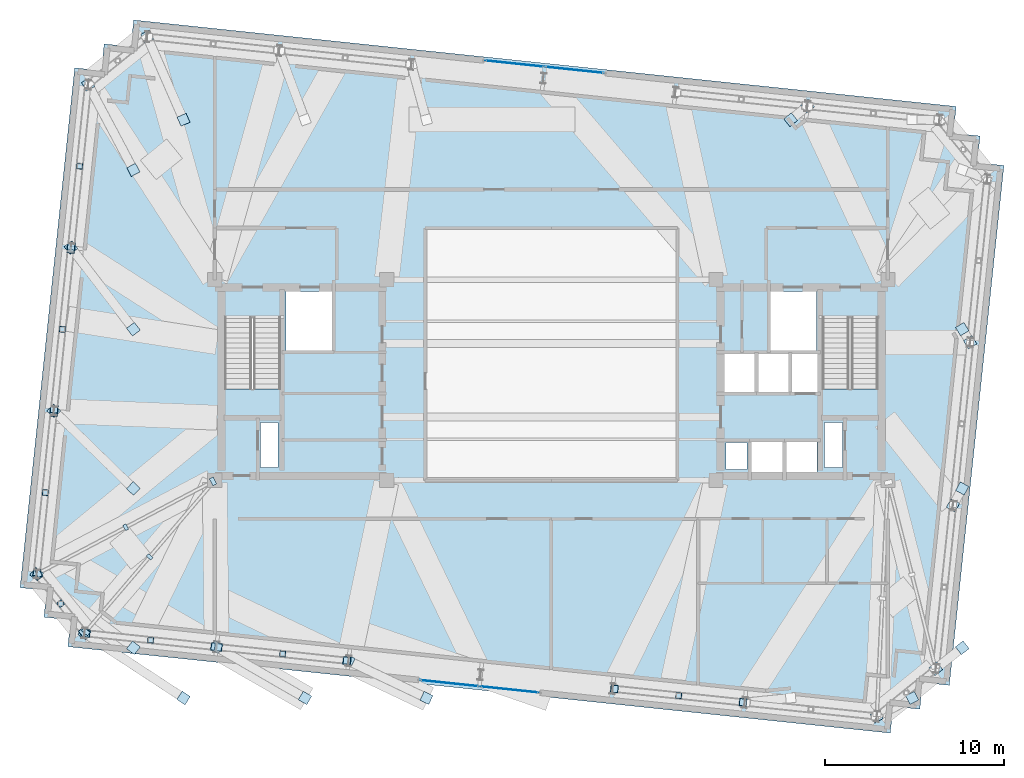
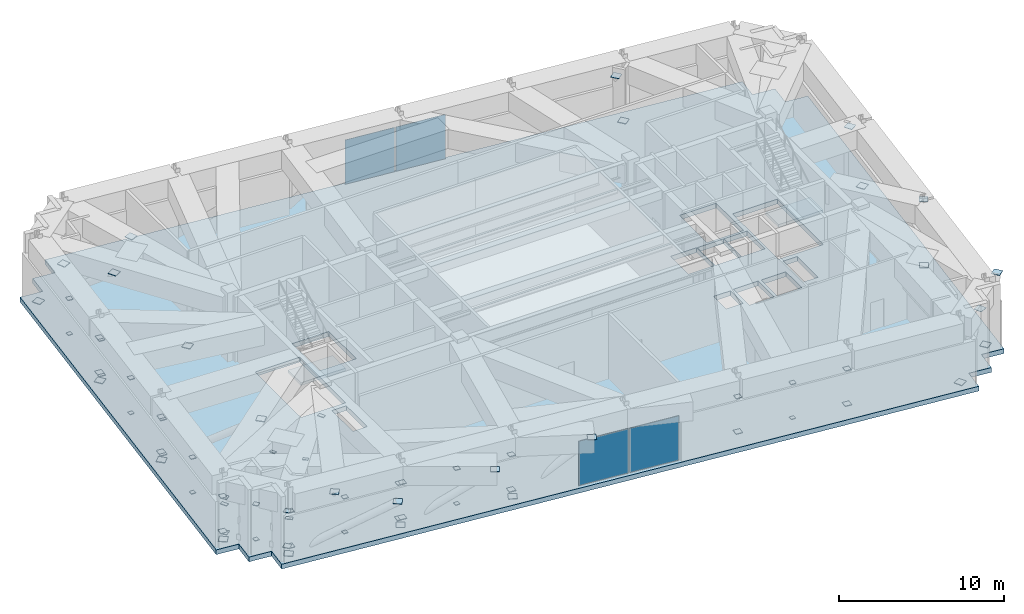
# One storey, part 14 of 21: 75 plates, 3 slabs, 4 elements without a shape of their own.
"""IFC4 building model written with IfcOpenShell, lengths in metres."""

from ifc_helpers import new_model, si_unit, direction, frame, origin, origin_2d, place, context, subcontext, project, spatial, polyline, rectangle, outline, extrude, material, layer, layer_set, type_object, element, aggregate, save


model = new_model("IFC4")

# Units and contexts
model_context = context("Model", 3, precision=1e-05, world=origin(), true_north=direction((0.0, 1.0)))
body_context = subcontext(model_context, "Body", "Model", "MODEL_VIEW")
ifc_project = project(units=[si_unit("LENGTHUNIT", "METRE"), si_unit("AREAUNIT", "SQUARE_METRE"), si_unit("VOLUMEUNIT", "CUBIC_METRE"), si_unit("PLANEANGLEUNIT", "RADIAN"), si_unit("MASSUNIT", "GRAM", prefix="KILO")], contexts=[model_context])

# Site, building, storey
site_placement = place(None, origin())
site = spatial("IfcSite", under=ifc_project, at=site_placement, CompositionType="ELEMENT")
building_placement = place(site_placement, origin())
building = spatial("IfcBuilding", under=site, at=building_placement, Name="Qobustan Lattice House", CompositionType="ELEMENT")
storey_placement = place(building_placement, frame((0.0, 0.0, 223.199951171875)))
storey = spatial("IfcBuildingStorey", under=building, at=storey_placement, Name="L63", CompositionType="ELEMENT", Elevation=223.199951171875)

# Curtain wall, plates
ifc_material_1 = material(Name="Anodised aluminium and low-E glazing", Category="aluminium")
ifc_layer_1 = layer(ifc_material_1, 0.219970703125)
ifc_layer_set_1 = layer_set([ifc_layer_1], Name="Anodised aluminium and low-E glazing")
curtain_wall_type = type_object("IfcCurtainWallType", Name="CW-TRN-01", PredefinedType="USERDEFINED", material=ifc_layer_set_1)
curtain_wall_1_placement = place(storey_placement, origin())
curtain_wall_1 = element("IfcCurtainWall", 1, at=curtain_wall_1_placement, inside=storey, type_object=curtain_wall_type, Name="L63 N transfer sky-lobby curtain wall", ObjectType="CURTAIN WALL", PredefinedType="USERDEFINED")
ifc_material_2 = material(Name="Clear low-E laminated glass", Category="glass")
ifc_layer_2 = layer(ifc_material_2, 0.031982421875)
ifc_layer_set_2 = layer_set([ifc_layer_2], Name="Clear low-E laminated glass")
plate_type_1 = type_object("IfcPlateType", Name="CWP-VISION-32", PredefinedType="CURTAIN_PANEL", material=ifc_layer_set_2)
plate_1_placement = place(storey_placement, frame((-2.052001953125, 17.680419921875, 0.065185546875), z_axis=(0.0, 0.0, 1.0), x_axis=(0.994521878892, -0.104528620025, 0.0)))
plate_1 = element("IfcPlate", 2, at=plate_1_placement, type_object=plate_type_1, Name="CW-TR panel 1.1", PredefinedType="CURTAIN_PANEL", context=body_context, shape_type="SweptSolid", body=[
    extrude(rectangle(XDim=3.280029296875, YDim=0.031982421875, at=origin_2d()), origin(), (0.0, 0.0, 1.0), 3.27490234375),
])
plate_2_placement = place(storey_placement, frame((1.28955078125, 17.3291015625, 0.065185546875), z_axis=(0.0, 0.0, 1.0), x_axis=(0.994521878892, -0.104528620025, 0.0)))
plate_2 = element("IfcPlate", 3, at=plate_2_placement, type_object=plate_type_1, Name="CW-TR panel 2.1", PredefinedType="CURTAIN_PANEL", context=body_context, shape_type="SweptSolid", body=[
    extrude(rectangle(XDim=3.280029296875, YDim=0.031982421875, at=origin_2d()), origin(), (0.0, 0.0, 1.0), 3.27490234375),
])
aggregate(curtain_wall_1, [plate_1, plate_2])

curtain_wall_2_placement = place(storey_placement, origin())
curtain_wall_2 = element("IfcCurtainWall", 4, at=curtain_wall_2_placement, inside=storey, type_object=curtain_wall_type, Name="L63 S transfer sky-lobby curtain wall", ObjectType="CURTAIN WALL", PredefinedType="USERDEFINED")
plate_3_placement = place(storey_placement, frame((-2.347900390625, -17.2802734375, 0.065185546875), z_axis=(0.0, 0.0, 1.0), x_axis=(-0.994521878892, 0.104528620025, 0.0)))
plate_3 = element("IfcPlate", 5, at=plate_3_placement, type_object=plate_type_1, Name="CW-TR panel 1.1", PredefinedType="CURTAIN_PANEL", context=body_context, shape_type="SweptSolid", body=[
    extrude(rectangle(XDim=3.280029296875, YDim=0.031982421875, at=origin_2d()), origin(), (0.0, 0.0, 1.0), 3.27490234375),
])
plate_4_placement = place(storey_placement, frame((-5.689697265625, -16.92919921875, 0.065185546875), z_axis=(0.0, 0.0, 1.0), x_axis=(-0.994521878892, 0.104528620025, 0.0)))
plate_4 = element("IfcPlate", 6, at=plate_4_placement, type_object=plate_type_1, Name="CW-TR panel 2.1", PredefinedType="CURTAIN_PANEL", context=body_context, shape_type="SweptSolid", body=[
    extrude(rectangle(XDim=3.280029296875, YDim=0.031982421875, at=origin_2d()), origin(), (0.0, 0.0, 1.0), 3.27490234375),
])
aggregate(curtain_wall_2, [plate_3, plate_4])

# Plates
ifc_material_3 = material(Name="Steel S355", Category="steel")
ifc_layer_3 = layer(ifc_material_3, 0.030029296875)
ifc_layer_set_3 = layer_set([ifc_layer_3], Name="Steel S355")
plate_type_2 = type_object("IfcPlateType", Name="PLT-CAP-25", PredefinedType="SHEET", material=ifc_layer_set_3)
for number, where, z_axis, x_axis, name in (
    (7, (-25.984619140625, -14.142578125, 0.53515625), (0.0, 0.0, 1.0), (0.994523719583, -0.10451110557, 0.0), "L63 TT4 belt truss bottom chord S1-S2 end cap plate 1"),
    (8, (-18.79736328125, -14.897705078125, 0.53515625), (0.0, 0.0, 1.0), (0.994523719583, -0.10451110557, 0.0), "L63 TT4 belt truss bottom chord S1-S2 end cap plate 2"),
):
    element("IfcPlate", number, at=place(storey_placement, frame(where, z_axis=z_axis, x_axis=x_axis)), inside=storey, type_object=plate_type_2, Name=name, PredefinedType="SHEET", context=body_context, shape_type="SweptSolid", body=[
        extrude(rectangle(XDim=0.43994140625, YDim=0.43994140625, at=origin_2d()), origin(), (0.0, 0.0, 1.0), 0.030029296875),
    ])
for number, where, z_axis, x_axis, name in (
    (9, (-25.984619140625, -14.142578125, 3.125), (0.0, 0.0, 1.0), (0.994523719583, -0.10451110557, 0.0), "L63 TT4 belt truss top chord S1-S2 end cap plate 1"),
    (10, (-18.79736328125, -14.897705078125, 3.125), (0.0, 0.0, 1.0), (0.994523719583, -0.10451110557, 0.0), "L63 TT4 belt truss top chord S1-S2 end cap plate 2"),
):
    element("IfcPlate", number, at=place(storey_placement, frame(where, z_axis=z_axis, x_axis=x_axis)), inside=storey, type_object=plate_type_2, Name=name, PredefinedType="SHEET", context=body_context, shape_type="SweptSolid", body=[
        extrude(rectangle(XDim=0.389892578125, YDim=0.389892578125, at=origin_2d()), origin(), (0.0, 0.0, 1.0), 0.030029296875),
    ])
plate_5_placement = place(storey_placement, frame((-22.386962890625, -14.5205078125, 3.1279296875), z_axis=(0.0, 0.0, 1.0), x_axis=(0.994523719583, -0.10451110557, 0.0)))
element("IfcPlate", 11, at=plate_5_placement, inside=storey, type_object=plate_type_2, Name="L63 TT4 belt truss web diagonal S1-S2 A end cap plate 2", PredefinedType="SHEET", context=body_context, shape_type="SweptSolid", body=[
    extrude(rectangle(XDim=0.340087890625, YDim=0.340087890625, at=origin_2d()), origin(), (0.0, 0.0, 1.0), 0.030029296875),
])
plate_6_placement = place(storey_placement, frame((-22.39111328125, -14.52001953125, 0.5302734375), z_axis=(0.0, 0.0, 1.0), x_axis=(1.0, 0.0, 0.0)))
element("IfcPlate", 12, at=plate_6_placement, inside=storey, type_object=plate_type_2, Name="L63 TT4 belt truss vertical post S1-S2 end cap plate 1", PredefinedType="SHEET", context=body_context, shape_type="SweptSolid", body=[
    extrude(rectangle(XDim=0.2900390625, YDim=0.2900390625, at=origin_2d()), origin(), (0.0, 0.0, 1.0), 0.030029296875),
])
for number, where, z_axis, x_axis, name in (
    (13, (-18.6083984375, -14.917724609375, 0.53515625), (0.0, 0.0, 1.0), (0.994521895368, -0.104528463268, 0.0), "L63 TT4 belt truss bottom chord S2-S3 end cap plate 1"),
    (14, (-11.42138671875, -15.673095703125, 0.53515625), (0.0, 0.0, 1.0), (0.994521895368, -0.104528463268, 0.0), "L63 TT4 belt truss bottom chord S2-S3 end cap plate 2"),
):
    element("IfcPlate", number, at=place(storey_placement, frame(where, z_axis=z_axis, x_axis=x_axis)), inside=storey, type_object=plate_type_2, Name=name, PredefinedType="SHEET", context=body_context, shape_type="SweptSolid", body=[
        extrude(rectangle(XDim=0.43994140625, YDim=0.43994140625, at=origin_2d()), origin(), (0.0, 0.0, 1.0), 0.030029296875),
    ])
for number, where, z_axis, x_axis, name in (
    (15, (-18.6083984375, -14.917724609375, 3.125), (0.0, 0.0, 1.0), (0.994521895368, -0.104528463268, 0.0), "L63 TT4 belt truss top chord S2-S3 end cap plate 1"),
    (16, (-11.42138671875, -15.673095703125, 3.125), (0.0, 0.0, 1.0), (0.994521895368, -0.104528463268, 0.0), "L63 TT4 belt truss top chord S2-S3 end cap plate 2"),
):
    element("IfcPlate", number, at=place(storey_placement, frame(where, z_axis=z_axis, x_axis=x_axis)), inside=storey, type_object=plate_type_2, Name=name, PredefinedType="SHEET", context=body_context, shape_type="SweptSolid", body=[
        extrude(rectangle(XDim=0.389892578125, YDim=0.389892578125, at=origin_2d()), origin(), (0.0, 0.0, 1.0), 0.030029296875),
    ])
plate_7_placement = place(storey_placement, frame((-15.010986328125, -15.295654296875, 3.1279296875), z_axis=(0.0, 0.0, 1.0), x_axis=(0.994523719583, -0.10451110557, 0.0)))
element("IfcPlate", 17, at=plate_7_placement, inside=storey, type_object=plate_type_2, Name="L63 TT4 belt truss web diagonal S2-S3 A end cap plate 2", PredefinedType="SHEET", context=body_context, shape_type="SweptSolid", body=[
    extrude(rectangle(XDim=0.340087890625, YDim=0.340087890625, at=origin_2d()), origin(), (0.0, 0.0, 1.0), 0.030029296875),
])
plate_8_placement = place(storey_placement, frame((-15.014892578125, -15.29541015625, 0.5302734375), z_axis=(0.0, 0.0, 1.0), x_axis=(1.0, 0.0, 0.0)))
element("IfcPlate", 18, at=plate_8_placement, inside=storey, type_object=plate_type_2, Name="L63 TT4 belt truss vertical post S2-S3 end cap plate 1", PredefinedType="SHEET", context=body_context, shape_type="SweptSolid", body=[
    extrude(rectangle(XDim=0.2900390625, YDim=0.2900390625, at=origin_2d()), origin(), (0.0, 0.0, 1.0), 0.030029296875),
])
for number, where, z_axis, x_axis, name in (
    (19, (3.519775390625, -17.243408203125, 0.53515625), (0.0, 0.0, 1.0), (0.994523719583, -0.10451110557, 0.0), "L63 TT4 belt truss bottom chord S5-S6 end cap plate 1"),
    (20, (10.706787109375, -17.998779296875, 0.53515625), (0.0, 0.0, 1.0), (0.994523719583, -0.10451110557, 0.0), "L63 TT4 belt truss bottom chord S5-S6 end cap plate 2"),
):
    element("IfcPlate", number, at=place(storey_placement, frame(where, z_axis=z_axis, x_axis=x_axis)), inside=storey, type_object=plate_type_2, Name=name, PredefinedType="SHEET", context=body_context, shape_type="SweptSolid", body=[
        extrude(rectangle(XDim=0.43994140625, YDim=0.43994140625, at=origin_2d()), origin(), (0.0, 0.0, 1.0), 0.030029296875),
    ])
for number, where, z_axis, x_axis, name in (
    (21, (3.519775390625, -17.243408203125, 3.125), (0.0, 0.0, 1.0), (0.994523719583, -0.10451110557, 0.0), "L63 TT4 belt truss top chord S5-S6 end cap plate 1"),
    (22, (10.706787109375, -17.998779296875, 3.125), (0.0, 0.0, 1.0), (0.994523719583, -0.10451110557, 0.0), "L63 TT4 belt truss top chord S5-S6 end cap plate 2"),
):
    element("IfcPlate", number, at=place(storey_placement, frame(where, z_axis=z_axis, x_axis=x_axis)), inside=storey, type_object=plate_type_2, Name=name, PredefinedType="SHEET", context=body_context, shape_type="SweptSolid", body=[
        extrude(rectangle(XDim=0.389892578125, YDim=0.389892578125, at=origin_2d()), origin(), (0.0, 0.0, 1.0), 0.030029296875),
    ])
plate_9_placement = place(storey_placement, frame((7.1171875, -17.62158203125, 3.1279296875), z_axis=(0.0, 0.0, 1.0), x_axis=(0.994523719583, -0.10451110557, 0.0)))
element("IfcPlate", 23, at=plate_9_placement, inside=storey, type_object=plate_type_2, Name="L63 TT4 belt truss web diagonal S5-S6 A end cap plate 2", PredefinedType="SHEET", context=body_context, shape_type="SweptSolid", body=[
    extrude(rectangle(XDim=0.340087890625, YDim=0.340087890625, at=origin_2d()), origin(), (0.0, 0.0, 1.0), 0.030029296875),
])
plate_10_placement = place(storey_placement, frame((7.11328125, -17.62109375, 0.5302734375), z_axis=(0.0, 0.0, 1.0), x_axis=(1.0, 0.0, 0.0)))
element("IfcPlate", 24, at=plate_10_placement, inside=storey, type_object=plate_type_2, Name="L63 TT4 belt truss vertical post S5-S6 end cap plate 1", PredefinedType="SHEET", context=body_context, shape_type="SweptSolid", body=[
    extrude(rectangle(XDim=0.2900390625, YDim=0.2900390625, at=origin_2d()), origin(), (0.0, 0.0, 1.0), 0.030029296875),
])
plate_11_placement = place(storey_placement, frame((-26.822509765625, 7.4921875, 0.53515625), z_axis=(0.0, 0.0, 1.0), x_axis=(-0.104528463268, -0.994521895368, 0.0)))
element("IfcPlate", 25, at=plate_11_placement, inside=storey, type_object=plate_type_2, Name="L63 TT4 belt truss bottom chord W1-W2 end cap plate 2", PredefinedType="SHEET", context=body_context, shape_type="SweptSolid", body=[
    extrude(rectangle(XDim=0.43994140625, YDim=0.43994140625, at=origin_2d()), origin(), (0.0, 0.0, 1.0), 0.030029296875),
])
plate_12_placement = place(storey_placement, frame((-26.822509765625, 7.4921875, 3.125), z_axis=(0.0, 0.0, 1.0), x_axis=(-0.104528463268, -0.994521895368, 0.0)))
element("IfcPlate", 26, at=plate_12_placement, inside=storey, type_object=plate_type_2, Name="L63 TT4 belt truss top chord W1-W2 end cap plate 2", PredefinedType="SHEET", context=body_context, shape_type="SweptSolid", body=[
    extrude(rectangle(XDim=0.389892578125, YDim=0.389892578125, at=origin_2d()), origin(), (0.0, 0.0, 1.0), 0.030029296875),
])
plate_13_placement = place(storey_placement, frame((-26.35400390625, 11.951416015625, 3.12744140625), z_axis=(0.0, 0.0, 1.0), x_axis=(-0.104528463268, -0.994521895368, 0.0)))
element("IfcPlate", 27, at=plate_13_placement, inside=storey, type_object=plate_type_2, Name="L63 TT4 belt truss web diagonal W1-W2 A end cap plate 2", PredefinedType="SHEET", context=body_context, shape_type="SweptSolid", body=[
    extrude(rectangle(XDim=0.340087890625, YDim=0.340087890625, at=origin_2d()), origin(), (0.0, 0.0, 1.0), 0.030029296875),
])
plate_14_placement = place(storey_placement, frame((-26.353515625, 11.955810546875, 0.5302734375), z_axis=(0.0, 0.0, 1.0), x_axis=(1.0, 0.0, 0.0)))
element("IfcPlate", 28, at=plate_14_placement, inside=storey, type_object=plate_type_2, Name="L63 TT4 belt truss vertical post W1-W2 end cap plate 1", PredefinedType="SHEET", context=body_context, shape_type="SweptSolid", body=[
    extrude(rectangle(XDim=0.2900390625, YDim=0.2900390625, at=origin_2d()), origin(), (0.0, 0.0, 1.0), 0.030029296875),
])
for number, where, z_axis, x_axis, name in (
    (29, (-26.842529296875, 7.302978515625, 0.53515625), (0.0, 0.0, 1.0), (-0.104528463268, -0.994521895368, 0.0), "L63 TT4 belt truss bottom chord W2-W3 end cap plate 1"),
    (30, (-27.78076171875, -1.62451171875, 0.53515625), (0.0, 0.0, 1.0), (-0.104528463268, -0.994521895368, 0.0), "L63 TT4 belt truss bottom chord W2-W3 end cap plate 2"),
):
    element("IfcPlate", number, at=place(storey_placement, frame(where, z_axis=z_axis, x_axis=x_axis)), inside=storey, type_object=plate_type_2, Name=name, PredefinedType="SHEET", context=body_context, shape_type="SweptSolid", body=[
        extrude(rectangle(XDim=0.43994140625, YDim=0.43994140625, at=origin_2d()), origin(), (0.0, 0.0, 1.0), 0.030029296875),
    ])
for number, where, z_axis, x_axis, name in (
    (31, (-26.842529296875, 7.302978515625, 3.125), (0.0, 0.0, 1.0), (-0.104528463268, -0.994521895368, 0.0), "L63 TT4 belt truss top chord W2-W3 end cap plate 1"),
    (32, (-27.78076171875, -1.62451171875, 3.125), (0.0, 0.0, 1.0), (-0.104528463268, -0.994521895368, 0.0), "L63 TT4 belt truss top chord W2-W3 end cap plate 2"),
):
    element("IfcPlate", number, at=place(storey_placement, frame(where, z_axis=z_axis, x_axis=x_axis)), inside=storey, type_object=plate_type_2, Name=name, PredefinedType="SHEET", context=body_context, shape_type="SweptSolid", body=[
        extrude(rectangle(XDim=0.389892578125, YDim=0.389892578125, at=origin_2d()), origin(), (0.0, 0.0, 1.0), 0.030029296875),
    ])
plate_15_placement = place(storey_placement, frame((-27.312255859375, 2.835205078125, 3.12744140625), z_axis=(0.0, 0.0, 1.0), x_axis=(-0.104528463268, -0.994521895368, 0.0)))
element("IfcPlate", 33, at=plate_15_placement, inside=storey, type_object=plate_type_2, Name="L63 TT4 belt truss web diagonal W2-W3 A end cap plate 2", PredefinedType="SHEET", context=body_context, shape_type="SweptSolid", body=[
    extrude(rectangle(XDim=0.340087890625, YDim=0.340087890625, at=origin_2d()), origin(), (0.0, 0.0, 1.0), 0.030029296875),
])
plate_16_placement = place(storey_placement, frame((-27.311767578125, 2.83935546875, 0.5302734375), z_axis=(0.0, 0.0, 1.0), x_axis=(1.0, 0.0, 0.0)))
element("IfcPlate", 34, at=plate_16_placement, inside=storey, type_object=plate_type_2, Name="L63 TT4 belt truss vertical post W2-W3 end cap plate 1", PredefinedType="SHEET", context=body_context, shape_type="SweptSolid", body=[
    extrude(rectangle(XDim=0.2900390625, YDim=0.2900390625, at=origin_2d()), origin(), (0.0, 0.0, 1.0), 0.030029296875),
])
for number, where, z_axis, x_axis, name in (
    (35, (-27.80078125, -1.8134765625, 0.53515625), (0.0, 0.0, 1.0), (-0.10451110557, -0.994523719583, 0.0), "L63 TT4 belt truss bottom chord W3-W4 end cap plate 1"),
    (36, (-28.739013671875, -10.74072265625, 0.53515625), (0.0, 0.0, 1.0), (-0.10451110557, -0.994523719583, 0.0), "L63 TT4 belt truss bottom chord W3-W4 end cap plate 2"),
):
    element("IfcPlate", number, at=place(storey_placement, frame(where, z_axis=z_axis, x_axis=x_axis)), inside=storey, type_object=plate_type_2, Name=name, PredefinedType="SHEET", context=body_context, shape_type="SweptSolid", body=[
        extrude(rectangle(XDim=0.43994140625, YDim=0.43994140625, at=origin_2d()), origin(), (0.0, 0.0, 1.0), 0.030029296875),
    ])
for number, where, z_axis, x_axis, name in (
    (37, (-27.80078125, -1.8134765625, 3.125), (0.0, 0.0, 1.0), (-0.10451110557, -0.994523719583, 0.0), "L63 TT4 belt truss top chord W3-W4 end cap plate 1"),
    (38, (-28.739013671875, -10.74072265625, 3.125), (0.0, 0.0, 1.0), (-0.10451110557, -0.994523719583, 0.0), "L63 TT4 belt truss top chord W3-W4 end cap plate 2"),
):
    element("IfcPlate", number, at=place(storey_placement, frame(where, z_axis=z_axis, x_axis=x_axis)), inside=storey, type_object=plate_type_2, Name=name, PredefinedType="SHEET", context=body_context, shape_type="SweptSolid", body=[
        extrude(rectangle(XDim=0.389892578125, YDim=0.389892578125, at=origin_2d()), origin(), (0.0, 0.0, 1.0), 0.030029296875),
    ])
plate_17_placement = place(storey_placement, frame((-28.270263671875, -6.281494140625, 3.12744140625), z_axis=(0.0, 0.0, 1.0), x_axis=(-0.104493747841, -0.994525543494, 0.0)))
element("IfcPlate", 39, at=plate_17_placement, inside=storey, type_object=plate_type_2, Name="L63 TT4 belt truss web diagonal W3-W4 A end cap plate 2", PredefinedType="SHEET", context=body_context, shape_type="SweptSolid", body=[
    extrude(rectangle(XDim=0.340087890625, YDim=0.340087890625, at=origin_2d()), origin(), (0.0, 0.0, 1.0), 0.030029296875),
])
plate_18_placement = place(storey_placement, frame((-28.269775390625, -6.277099609375, 0.5302734375), z_axis=(0.0, 0.0, 1.0), x_axis=(1.0, 0.0, 0.0)))
element("IfcPlate", 40, at=plate_18_placement, inside=storey, type_object=plate_type_2, Name="L63 TT4 belt truss vertical post W3-W4 end cap plate 1", PredefinedType="SHEET", context=body_context, shape_type="SweptSolid", body=[
    extrude(rectangle(XDim=0.2900390625, YDim=0.2900390625, at=origin_2d()), origin(), (0.0, 0.0, 1.0), 0.030029296875),
])
for number, where, z_axis, x_axis, name in (
    (41, (-28.689208984375, -10.9091796875, 0.53515625), (0.0, 0.0, 1.0), (0.629306827198, -0.777156945051, 0.0), "L63 TT4 belt truss bottom chord W4-S1 end cap plate 1"),
    (42, (-26.138916015625, -14.05859375, 0.53515625), (0.0, 0.0, 1.0), (0.629306827198, -0.777156945051, 0.0), "L63 TT4 belt truss bottom chord W4-S1 end cap plate 2"),
):
    element("IfcPlate", number, at=place(storey_placement, frame(where, z_axis=z_axis, x_axis=x_axis)), inside=storey, type_object=plate_type_2, Name=name, PredefinedType="SHEET", context=body_context, shape_type="SweptSolid", body=[
        extrude(rectangle(XDim=0.43994140625, YDim=0.43994140625, at=origin_2d()), origin(), (0.0, 0.0, 1.0), 0.030029296875),
    ])
for number, where, z_axis, x_axis, name in (
    (43, (-28.689208984375, -10.9091796875, 3.125), (0.0, 0.0, 1.0), (0.629306827198, -0.777156945051, 0.0), "L63 TT4 belt truss top chord W4-S1 end cap plate 1"),
    (44, (-26.138916015625, -14.05859375, 3.125), (0.0, 0.0, 1.0), (0.629306827198, -0.777156945051, 0.0), "L63 TT4 belt truss top chord W4-S1 end cap plate 2"),
):
    element("IfcPlate", number, at=place(storey_placement, frame(where, z_axis=z_axis, x_axis=x_axis)), inside=storey, type_object=plate_type_2, Name=name, PredefinedType="SHEET", context=body_context, shape_type="SweptSolid", body=[
        extrude(rectangle(XDim=0.389892578125, YDim=0.389892578125, at=origin_2d()), origin(), (0.0, 0.0, 1.0), 0.030029296875),
    ])
plate_19_placement = place(storey_placement, frame((-27.412109375, -12.486328125, 3.12890625), z_axis=(0.0, 0.0, 1.0), x_axis=(0.62932039105, -0.777145961457, 0.0)))
element("IfcPlate", 45, at=plate_19_placement, inside=storey, type_object=plate_type_2, Name="L63 TT4 belt truss web diagonal W4-S1 A end cap plate 2", PredefinedType="SHEET", context=body_context, shape_type="SweptSolid", body=[
    extrude(rectangle(XDim=0.340087890625, YDim=0.340087890625, at=origin_2d()), origin(), (0.0, 0.0, 1.0), 0.030029296875),
])
plate_20_placement = place(storey_placement, frame((-27.413818359375, -12.48388671875, 0.5302734375), z_axis=(0.0, 0.0, 1.0), x_axis=(1.0, 0.0, 0.0)))
element("IfcPlate", 46, at=plate_20_placement, inside=storey, type_object=plate_type_2, Name="L63 TT4 belt truss vertical post W4-S1 end cap plate 1", PredefinedType="SHEET", context=body_context, shape_type="SweptSolid", body=[
    extrude(rectangle(XDim=0.2900390625, YDim=0.2900390625, at=origin_2d()), origin(), (0.0, 0.0, 1.0), 0.030029296875),
])
for number, where, z_axis, x_axis, name in (
    (47, (-26.08251953125, -14.130126953125, -0.00244140625), (0.0, 0.0, 1.0), (0.836802538544, -0.547504804989, 0.0), "L63 TT4 column transfer strut S1 end cap plate 1"),
    (48, (-20.54638671875, -17.752197265625, 4.107421875), (0.0, 0.0, 1.0), (0.836802538544, -0.547504804989, 0.0), "L63 TT4 column transfer strut S1 end cap plate 2"),
    (49, (-18.706298828125, -14.90576171875, -0.0029296875), (0.0, 0.0, 1.0), (0.86660078774, -0.499002078842, 0.0), "L63 TT4 column transfer strut S2 end cap plate 1"),
    (50, (-13.76318359375, -17.751953125, 4.10791015625), (0.0, 0.0, 1.0), (0.86660078774, -0.499002078842, 0.0), "L63 TT4 column transfer strut S2 end cap plate 2"),
    (51, (-11.330322265625, -15.681396484375, -0.0029296875), (0.0, 0.0, 1.0), (0.902975632051, -0.429691759198, 0.0), "L63 TT4 column transfer strut S3 end cap plate 1"),
    (52, (-6.97998046875, -17.751708984375, 4.1083984375), (0.0, 0.0, 1.0), (0.902975632051, -0.429691759198, 0.0), "L63 TT4 column transfer strut S3 end cap plate 2"),
    (53, (18.17529296875, -18.78515625, -0.00439453125), (0.0, 0.0, 1.0), (0.885709828562, 0.464239269761, 0.0), "L63 TT4 column transfer strut S7 end cap plate 1"),
    (54, (20.152099609375, -17.748779296875, 4.109375), (0.0, 0.0, 1.0), (0.885709828562, 0.464239269761, 0.0), "L63 TT4 column transfer strut S7 end cap plate 2"),
    (55, (21.472900390625, -16.115234375, -0.00439453125), (0.0, 0.0, 1.0), (0.785133207443, 0.61932693028, 0.0), "L63 TT4 column transfer strut E1 end cap plate 1"),
    (56, (22.95166015625, -14.94873046875, 4.109375), (0.0, 0.0, 1.0), (0.785133207443, 0.61932693028, 0.0), "L63 TT4 column transfer strut E1 end cap plate 2"),
    (57, (22.431884765625, -6.998779296875, -0.0048828125), (0.0, 0.0, 1.0), (0.479228097873, 0.877690395418, 0.0), "L63 TT4 column transfer strut E2 end cap plate 1"),
    (58, (22.95068359375, -6.048828125, 4.10986328125), (0.0, 0.0, 1.0), (0.479228097873, 0.877690395418, 0.0), "L63 TT4 column transfer strut E2 end cap plate 2"),
    (59, (23.391357421875, 2.117919921875, -0.0048828125), (0.0, 0.0, 1.0), (-0.516339034734, 0.856384260254, 0.0), "L63 TT4 column transfer strut E3 end cap plate 1"),
    (60, (22.949462890625, 2.850830078125, 4.10986328125), (0.0, 0.0, 1.0), (-0.516339034734, 0.856384260254, 0.0), "L63 TT4 column transfer strut E3 end cap plate 2"),
    (61, (14.303955078125, 15.30859375, -0.0048828125), (0.0, 0.0, 1.0), (-0.777321670559, -0.629103346422, 0.0), "L63 TT4 column transfer strut N2 end cap plate 1"),
    (62, (13.365478515625, 14.549072265625, 4.10986328125), (0.0, 0.0, 1.0), (-0.777321670559, -0.629103346422, 0.0), "L63 TT4 column transfer strut N2 end cap plate 2"),
    (63, (-22.578857421875, 19.1875, -0.0029296875), (0.0, 0.0, 1.0), (0.400812794112, -0.916159977338, 0.0), "L63 TT4 column transfer strut N7 end cap plate 1"),
    (64, (-20.54833984375, 14.54638671875, 4.1083984375), (0.0, 0.0, 1.0), (0.400812794112, -0.916159977338, 0.0), "L63 TT4 column transfer strut N7 end cap plate 2"),
    (65, (-25.876220703125, 16.517578125, -0.0029296875), (0.0, 0.0, 1.0), (0.468222856308, -0.883610410096, 0.0), "L63 TT4 column transfer strut W1 end cap plate 1"),
    (66, (-23.34814453125, 11.74658203125, 4.10791015625), (0.0, 0.0, 1.0), (0.468222856308, -0.883610410096, 0.0), "L63 TT4 column transfer strut W1 end cap plate 2"),
    (67, (-26.835205078125, 7.40087890625, -0.0029296875), (0.0, 0.0, 1.0), (0.607999584113, -0.793937343698, 0.0), "L63 TT4 column transfer strut W2 end cap plate 1"),
    (68, (-23.347412109375, 2.8466796875, 4.10791015625), (0.0, 0.0, 1.0), (0.607999584113, -0.793937343698, 0.0), "L63 TT4 column transfer strut W2 end cap plate 2"),
    (69, (-27.793701171875, -1.716064453125, -0.0029296875), (0.0, 0.0, 1.0), (0.715887740136, -0.698215399088, 0.0), "L63 TT4 column transfer strut W3 end cap plate 1"),
    (70, (-23.346923828125, -6.052978515625, 4.10791015625), (0.0, 0.0, 1.0), (0.715887740136, -0.698215399088, 0.0), "L63 TT4 column transfer strut W3 end cap plate 2"),
    (71, (-28.752197265625, -10.832763671875, -0.00244140625), (0.0, 0.0, 1.0), (0.795346545495, -0.60615499055, 0.0), "L63 TT4 column transfer strut W4 end cap plate 1"),
    (72, (-23.3466796875, -14.95263671875, 4.107421875), (0.0, 0.0, 1.0), (0.795346545495, -0.60615499055, 0.0), "L63 TT4 column transfer strut W4 end cap plate 2"),
):
    element("IfcPlate", number, at=place(storey_placement, frame(where, z_axis=z_axis, x_axis=x_axis)), inside=storey, type_object=plate_type_2, Name=name, PredefinedType="SHEET", context=body_context, shape_type="SweptSolid", body=[
        extrude(rectangle(XDim=0.548095703125, YDim=0.548095703125, at=origin_2d()), origin(), (0.0, 0.0, 1.0), 0.030029296875),
    ])
for number, where, z_axis, x_axis, name in (
    (73, (-18.90185546875, -5.653564453125, 2.53515625), (0.0, 0.0, 1.0), (-0.884955129281, -0.465676302983, 0.0), "L63 TT4 outrigger chord OUT-WS end cap plate 1"),
    (74, (-28.647216796875, -10.78173828125, 2.53515625), (0.0, 0.0, 1.0), (-0.884955129281, -0.465676302983, 0.0), "L63 TT4 outrigger chord OUT-WS end cap plate 2"),
):
    element("IfcPlate", number, at=place(storey_placement, frame(where, z_axis=z_axis, x_axis=x_axis)), inside=storey, type_object=plate_type_2, Name=name, PredefinedType="SHEET", context=body_context, shape_type="SweptSolid", body=[
        extrude(rectangle(XDim=0.239990234375, YDim=0.43994140625, at=origin_2d()), origin(), (0.0, 0.0, 1.0), 0.030029296875),
    ])
plate_21_placement = place(storey_placement, frame((-23.77880859375, -8.219970703125, 3.12548828125), z_axis=(0.0, 0.0, 1.0), x_axis=(-0.884955129281, -0.465676302983, 0.0)))
element("IfcPlate", 75, at=plate_21_placement, inside=storey, type_object=plate_type_2, Name="L63 TT4 outrigger diagonal OUT-WS-1 end cap plate 2", PredefinedType="SHEET", context=body_context, shape_type="SweptSolid", body=[
    extrude(rectangle(XDim=0.18994140625, YDim=0.340087890625, at=origin_2d()), origin(), (0.0, 0.0, 1.0), 0.030029296875),
])
plate_22_placement = place(storey_placement, frame((-26.00439453125, -14.044921875, 2.53515625), z_axis=(0.0, 0.0, 1.0), x_axis=(-0.649009978238, -0.760779894678, 0.0)))
element("IfcPlate", 76, at=plate_22_placement, inside=storey, type_object=plate_type_2, Name="L63 TT4 outrigger chord OUT-WN end cap plate 2", PredefinedType="SHEET", context=body_context, shape_type="SweptSolid", body=[
    extrude(rectangle(XDim=0.239990234375, YDim=0.43994140625, at=origin_2d()), origin(), (0.0, 0.0, 1.0), 0.030029296875),
])
plate_23_placement = place(storey_placement, frame((-22.442626953125, -9.8701171875, 3.12548828125), z_axis=(0.0, 0.0, 1.0), x_axis=(-0.649009978238, -0.760779894678, 0.0)))
element("IfcPlate", 77, at=plate_23_placement, inside=storey, type_object=plate_type_2, Name="L63 TT4 outrigger diagonal OUT-WN-1 end cap plate 2", PredefinedType="SHEET", context=body_context, shape_type="SweptSolid", body=[
    extrude(rectangle(XDim=0.18994140625, YDim=0.340087890625, at=origin_2d()), origin(), (0.0, 0.0, 1.0), 0.030029296875),
])

# Slab
ifc_material_4 = material(Name="Concrete C50/60", Category="concrete")
ifc_layer_4 = layer(ifc_material_4, 0.35009765625)
ifc_layer_set_4 = layer_set([ifc_layer_4], Name="Concrete C50/60")
slab_type_1 = type_object("IfcSlabType", Name="SLB-FLR-350", PredefinedType="FLOOR", material=ifc_layer_set_4)
slab_1_placement = place(storey_placement, frame((0.0, 0.0, -0.349853515625)))
element("IfcSlab", 78, at=slab_1_placement, inside=storey, type_object=slab_type_1, Name="L63 structural floor slab", PredefinedType="FLOOR", context=body_context, shape_type="SweptSolid", body=[
    extrude(outline(polyline([(-27.01318359375, -14.888916015625), (18.933837890625, -19.71826171875), (19.090576171875, -18.226318359375), (20.582275390625, -18.38330078125), (20.739013671875, -16.891357421875), (22.23095703125, -17.048095703125), (25.283203125, 11.99169921875), (23.79150390625, 12.148681640625), (23.947998046875, 13.640380859375), (22.456298828125, 13.797119140625), (22.61328125, 15.2890625), (-23.333740234375, 20.1181640625), (-23.490478515625, 18.62646484375), (-24.982421875, 18.783203125), (-25.13916015625, 17.29150390625), (-26.630859375, 17.4482421875), (-29.68310546875, -11.591796875), (-28.19140625, -11.74853515625), (-28.34814453125, -13.240478515625), (-26.8564453125, -13.397216796875), (-27.01318359375, -14.888916015625)]), holes=[polyline([(-18.25, -2.050048828125), (-18.25, 3.489990234375), (-15.1298828125, 3.489990234375), (-15.1298828125, -2.050048828125), (-18.25, -2.050048828125)]), polyline([(15.1298828125, -2.050048828125), (15.1298828125, 3.489990234375), (18.25, 3.489990234375), (18.25, -2.050048828125), (15.1298828125, -2.050048828125)]), polyline([(-14.820068359375, 1.64990234375), (-14.820068359375, 4.9599609375), (-12.25, 4.9599609375), (-12.25, 1.64990234375), (-14.820068359375, 1.64990234375)]), polyline([(12.25, 1.64990234375), (12.25, 4.9599609375), (14.820068359375, 4.9599609375), (14.820068359375, 1.64990234375), (12.25, 1.64990234375)]), polyline([(-16.260009765625, -4.8798828125), (-16.260009765625, -2.360107421875), (-15.260009765625, -2.360107421875), (-15.260009765625, -4.8798828125), (-16.260009765625, -4.8798828125)]), polyline([(15.260009765625, -4.8798828125), (15.260009765625, -2.360107421875), (16.260009765625, -2.360107421875), (16.260009765625, -4.8798828125), (15.260009765625, -4.8798828125)]), polyline([(11.179931640625, -5.35009765625), (11.179931640625, -3.419921875), (12.919921875, -3.419921875), (12.919921875, -5.35009765625), (11.179931640625, -5.35009765625)]), polyline([(13.1201171875, -5.35009765625), (13.1201171875, -3.419921875), (14.85009765625, -3.419921875), (14.85009765625, -5.35009765625), (13.1201171875, -5.35009765625)]), polyline([(9.760009765625, -5.0), (9.760009765625, -3.47998046875), (10.93994140625, -3.47998046875), (10.93994140625, -5.0), (9.760009765625, -5.0)]), polyline([(13.360107421875, -0.679931640625), (13.360107421875, 1.47998046875), (14.97998046875, 1.47998046875), (14.97998046875, -0.679931640625), (13.360107421875, -0.679931640625)]), polyline([(9.6201171875, -0.679931640625), (9.6201171875, 1.47998046875), (11.43994140625, 1.47998046875), (11.43994140625, -0.679931640625), (9.6201171875, -0.679931640625)]), polyline([(11.5, -0.679931640625), (11.5, 1.47998046875), (13.320068359375, 1.47998046875), (13.320068359375, -0.679931640625), (11.5, -0.679931640625)])]), origin(), (0.0, 0.0, 1.0), 0.349853515625),
])

# Stair, slab
ifc_material_5 = material(Name="Concrete C40/50", Category="concrete")
stair_type = type_object("IfcStairType", Name="STR-CORE-DOGLEG", PredefinedType="HALF_TURN_STAIR", material=ifc_material_5)
stair_1_placement = place(storey_placement, origin())
stair_1 = element("IfcStair", 79, at=stair_1_placement, inside=storey, type_object=stair_type, Name="L63 West protected exit stair ST-W1", PredefinedType="HALF_TURN_STAIR")
ifc_material_6 = material(Name="Concrete C40/50", Category="concrete")
ifc_layer_5 = layer(ifc_material_6, 0.199951171875)
ifc_layer_set_5 = layer_set([ifc_layer_5], Name="Concrete C40/50")
slab_type_2 = type_object("IfcSlabType", Name="SLB-LANDING-200", PredefinedType="LANDING", material=ifc_layer_set_5)
slab_2_placement = place(storey_placement, frame((0.0, 0.0, 2.35009765625)))
slab_2 = element("IfcSlab", 80, at=slab_2_placement, type_object=slab_type_2, Name="ST-W1 landing 1", PredefinedType="LANDING", context=body_context, shape_type="SweptSolid", body=[
    extrude(outline(polyline([(-18.25, -0.489990234375), (-18.25, -2.050048828125), (-15.1298828125, -2.050048828125), (-15.1298828125, -0.489990234375), (-18.25, -0.489990234375)])), origin(), (0.0, 0.0, 1.0), 0.199951171875),
])
aggregate(stair_1, [slab_2])

stair_2_placement = place(storey_placement, origin())
stair_2 = element("IfcStair", 81, at=stair_2_placement, inside=storey, type_object=stair_type, Name="L63 East protected exit stair ST-E1", PredefinedType="HALF_TURN_STAIR")
slab_3_placement = place(storey_placement, frame((0.0, 0.0, 2.35009765625)))
slab_3 = element("IfcSlab", 82, at=slab_3_placement, type_object=slab_type_2, Name="ST-E1 landing 1", PredefinedType="LANDING", context=body_context, shape_type="SweptSolid", body=[
    extrude(outline(polyline([(15.1298828125, -0.489990234375), (15.1298828125, -2.050048828125), (18.25, -2.050048828125), (18.25, -0.489990234375), (15.1298828125, -0.489990234375)])), origin(), (0.0, 0.0, 1.0), 0.199951171875),
])
aggregate(stair_2, [slab_3])

save(model, "model.ifc")
